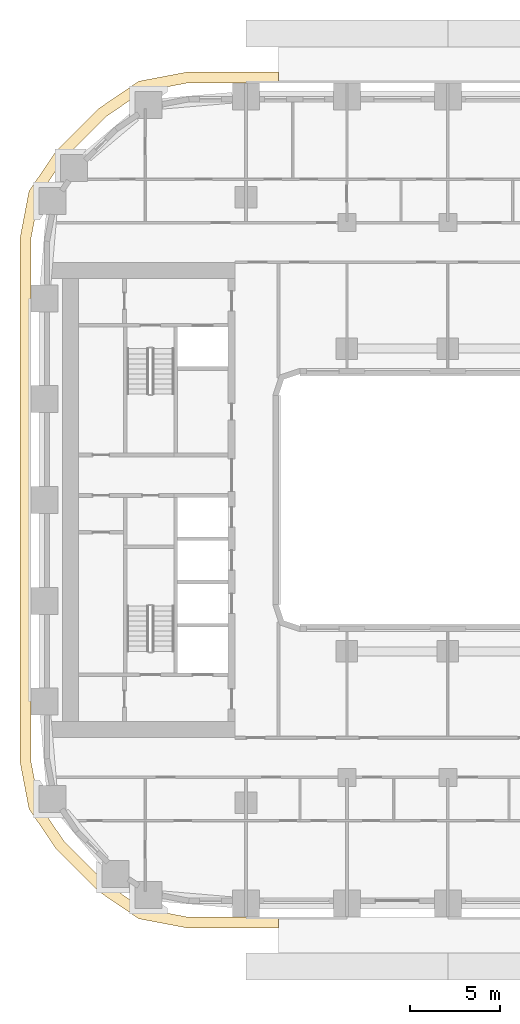
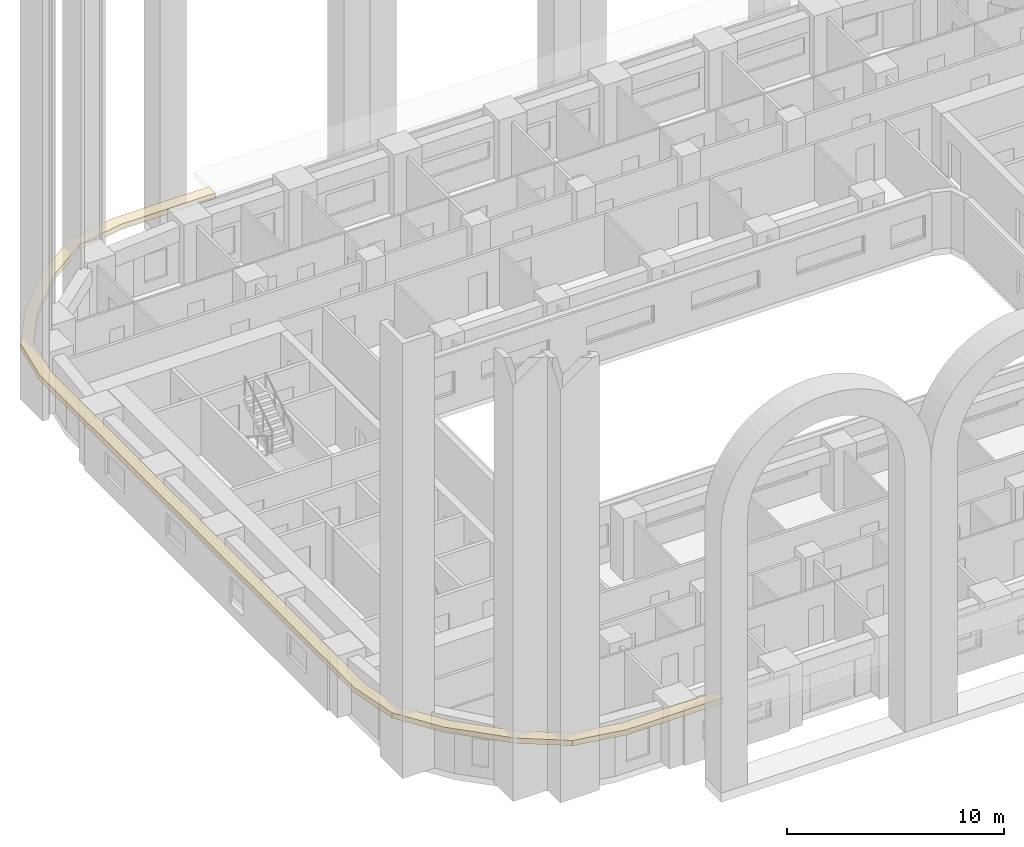
# One storey, part 13 of 21: 1 covering.
"""IFC4 building model written with IfcOpenShell, lengths in metres."""

from ifc_helpers import new_model, si_unit, direction, frame, origin, place, context, subcontext, project, spatial, polyline, outline, extrude, material, layer, layer_set, type_object, element, save


model = new_model("IFC4")

# Units and contexts
model_context = context("Model", 3, precision=1e-05, world=origin(), true_north=direction((0.0, 1.0)))
body_context = subcontext(model_context, "Body", "Model", "MODEL_VIEW")
ifc_project = project(units=[si_unit("LENGTHUNIT", "METRE"), si_unit("AREAUNIT", "SQUARE_METRE"), si_unit("VOLUMEUNIT", "CUBIC_METRE"), si_unit("PLANEANGLEUNIT", "RADIAN"), si_unit("MASSUNIT", "GRAM", prefix="KILO")], contexts=[model_context])

# Site, building, storey
site_placement = place(None, origin())
site = spatial("IfcSite", under=ifc_project, at=site_placement, CompositionType="ELEMENT")
building_placement = place(site_placement, origin())
building = spatial("IfcBuilding", under=site, at=building_placement, Name="Kiln Ring Residences", CompositionType="ELEMENT")
storey_placement = place(building_placement, frame((0.0, 0.0, 30.5)))
storey = spatial("IfcBuildingStorey", under=building, at=storey_placement, Name="L06", CompositionType="ELEMENT", Elevation=30.5)

# Covering
ifc_material = material(Name="Black powder-coated steel", Category="steel")
ifc_layer = layer(ifc_material, 0.300048828125)
ifc_layer_set = layer_set([ifc_layer], Name="SUNSHADE FIN 600")
covering_type = type_object("IfcCoveringType", Name="SUNSHADE FIN 600", PredefinedType="CLADDING", material=ifc_layer_set)
covering_placement = place(storey_placement, frame((0.0, 0.0, 3.199951171875)))
element("IfcCovering", 1, at=covering_placement, inside=storey, type_object=covering_type, Name="SUNSHADE FIN L06", PredefinedType="CLADDING", context=body_context, shape_type="SweptSolid", body=[
    extrude(outline(polyline([(-29.35009765625, -14.527587890625), (-28.849365234375, -17.15185546875), (-27.347900390625, -19.361328125), (-24.96142578125, -21.747802734375), (-22.751953125, -23.24951171875), (-20.127685546875, -23.75), (-15.0, -23.75), (-15.0, -23.14990234375), (-20.07080078125, -23.14990234375), (-22.517333984375, -22.683349609375), (-24.577392578125, -21.283447265625), (-26.88330078125, -18.977294921875), (-28.283447265625, -16.91748046875), (-28.75, -14.470947265625), (-28.75, 14.470947265625), (-28.283447265625, 16.91748046875), (-26.88330078125, 18.977294921875), (-24.577392578125, 21.283447265625), (-22.517333984375, 22.683349609375), (-20.07080078125, 23.14990234375), (-15.0, 23.14990234375), (-15.0, 23.75), (-20.127685546875, 23.75), (-22.751953125, 23.24951171875), (-24.96142578125, 21.747802734375), (-27.347900390625, 19.361328125), (-28.849365234375, 17.15185546875), (-29.35009765625, 14.527587890625), (-29.35009765625, -14.527587890625)])), origin(), (0.0, 0.0, 1.0), 0.300048828125),
])

save(model, "model.ifc")
